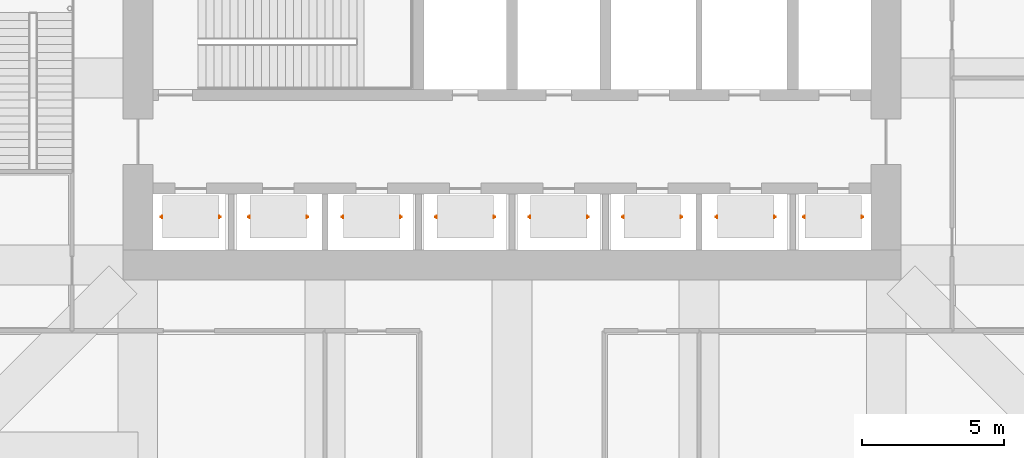
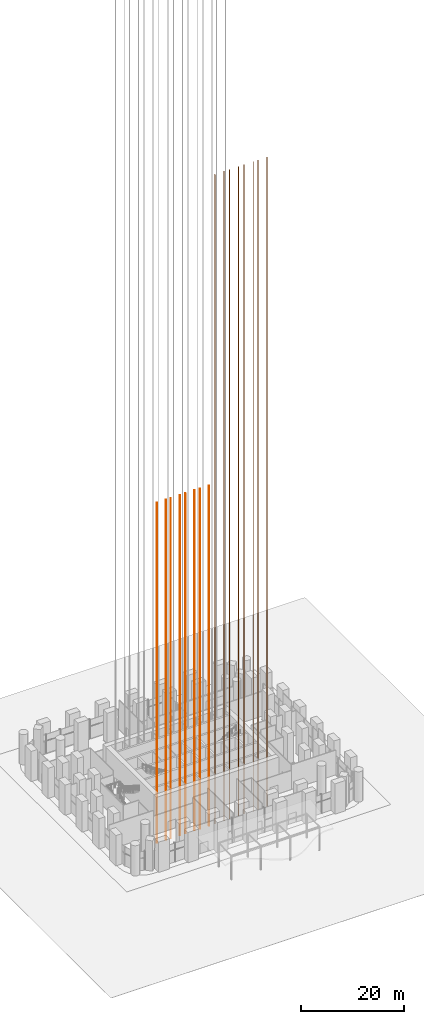
# One storey, part 24 of 32: 8 proxies.
"""IFC4 building model written with IfcOpenShell, lengths in metres."""

import ifcopenshell
import ifcopenshell.guid

model = None  # the IFC model being written
_history = None  # IfcOwnerHistory: only IFC2X3 demands one
_inside = {}  # id of a spatial element -> (the spatial element, [elements in it])
_under = {}  # id of a project, library or spatial element -> (it, [spatial elements below it])
_declared = {}  # id of a project -> (the project, [libraries it declares])
_typed = {}  # id of a type object -> (the type object, [elements of that type])
_made_of = {}  # id of a material, layer set ... -> (it, [elements and type objects made of it])


def new_model(schema):
    """Start an empty IFC model of exactly this schema.

    Asked for "IFC4X3", IfcOpenShell would pick the latest addendum, in which some entities
    have other attributes; the version numbers below select the first issue.
    IFC2X3 requires an IfcOwnerHistory on every rooted entity: one is made here for all.
    """
    global model, _history
    if schema == "IFC4X3":
        model = ifcopenshell.file(schema_version=(4, 3, 0, 0))
    else:
        model = ifcopenshell.file(schema=schema)
    _inside.clear()
    _under.clear()
    _declared.clear()
    _typed.clear()
    _made_of.clear()
    _history = None
    if model.schema == "IFC2X3":
        org = make("IfcOrganization", Name="unknown")
        user = make(
            "IfcPersonAndOrganization",
            ThePerson=make("IfcPerson", FamilyName="unknown"),
            TheOrganization=org,
        )
        app = make(
            "IfcApplication",
            ApplicationDeveloper=org,
            Version="unknown",
            ApplicationFullName="unknown",
            ApplicationIdentifier="unknown",
        )
        _history = make(
            "IfcOwnerHistory",
            OwningUser=user,
            OwningApplication=app,
            ChangeAction="ADDED",
            CreationDate=0,
        )
    return model


def make(cls, **values):
    """One entity of the class cls with the attributes given. An attribute that is None is left unset."""
    return model.create_entity(
        cls, **{name: value for name, value in values.items() if value is not None}
    )


def rooted(cls, **values):
    """An entity with a GlobalId (a new one), such as an element, a storey or a relation."""
    return make(cls, GlobalId=ifcopenshell.guid.new(), OwnerHistory=_history, **values)


def si_unit(unit_type, name, prefix=None):
    """IfcSIUnit, for example si_unit("LENGTHUNIT", "METRE", prefix="MILLI")."""
    return make("IfcSIUnit", UnitType=unit_type, Prefix=prefix, Name=name)


def assignment(units):
    """IfcUnitAssignment: the units of a project."""
    return None if units is None else make("IfcUnitAssignment", Units=units)


def point(xyz):
    """IfcCartesianPoint."""
    return None if xyz is None else make("IfcCartesianPoint", Coordinates=xyz)


def direction(xyz):
    """IfcDirection."""
    return None if xyz is None else make("IfcDirection", DirectionRatios=xyz)


def frame(location, z_axis=None, x_axis=None):
    """IfcAxis2Placement3D, a coordinate frame: its origin and axes. An axis left out is left unset."""
    return make(
        "IfcAxis2Placement3D",
        Location=point(location),
        Axis=direction(z_axis),
        RefDirection=direction(x_axis),
    )


def frame_2d(location, x_axis=None):
    """IfcAxis2Placement2D, a coordinate frame in the plane: its origin and x axis."""
    return make(
        "IfcAxis2Placement2D", Location=point(location), RefDirection=direction(x_axis)
    )


def origin():
    """The frame at (0, 0, 0) with its axes left unset."""
    return frame((0.0, 0.0, 0.0))


def origin_2d():
    """The frame at (0, 0) in the plane with its x axis left unset."""
    return frame_2d((0.0, 0.0))


def place(relative_to, where):
    """IfcLocalPlacement: puts the frame where relative to a parent placement (None: the world)."""
    return make(
        "IfcLocalPlacement", PlacementRelTo=relative_to, RelativePlacement=where
    )


def context(
    kind, dimensions, precision=None, world=None, true_north=None, identifier=None
):
    """IfcGeometricRepresentationContext, for example the 3D "Model" context."""
    return make(
        "IfcGeometricRepresentationContext",
        ContextIdentifier=identifier,
        ContextType=kind,
        CoordinateSpaceDimension=dimensions,
        Precision=precision,
        WorldCoordinateSystem=world,
        TrueNorth=true_north,
    )


def subcontext(parent, identifier, kind, view, scale=None):
    """IfcGeometricRepresentationSubContext, for example "Body" below "Model"."""
    return make(
        "IfcGeometricRepresentationSubContext",
        ContextIdentifier=identifier,
        ContextType=kind,
        ParentContext=parent,
        TargetScale=scale,
        TargetView=view,
    )


def project(units=None, contexts=None):
    """IfcProject with its units and contexts."""
    return rooted(
        "IfcProject",
        Name="project",
        RepresentationContexts=contexts,
        UnitsInContext=assignment(units),
    )


def spatial(cls, under=None, at=None, **own):
    """A site, building, storey or space (cls), placed at a placement, below another one or the project."""
    s = rooted(cls, ObjectPlacement=at, **own)
    if under is not None:
        _under.setdefault(under.id(), (under, []))[1].append(s)
    return s


def profile(cls, at=None, kind="AREA", **sizes):
    """A parametric profile (cls). Its sizes go by their IFC names, for example OverallWidth=200.0."""
    return make(cls, ProfileType=kind, Position=at, **sizes)


def t_section(**sizes):
    """IfcTShapeProfileDef."""
    return profile("IfcTShapeProfileDef", **sizes)


def extrude(swept, where, along, depth):
    """IfcExtrudedAreaSolid: the profile swept, set in the frame where, extruded along a direction by depth."""
    return make(
        "IfcExtrudedAreaSolid",
        SweptArea=swept,
        Position=where,
        ExtrudedDirection=direction(along),
        Depth=depth,
    )


def shape(context_of_items, identifier, shape_type, items):
    """IfcShapeRepresentation: the items that make up one representation, for example the "Body"."""
    return make(
        "IfcShapeRepresentation",
        ContextOfItems=context_of_items,
        RepresentationIdentifier=identifier,
        RepresentationType=shape_type,
        Items=items,
    )


def material(Name=None, Category=None):
    """IfcMaterial."""
    return make("IfcMaterial", Name=Name, Category=Category)


def made_of(thing, what):
    """Note that an element or type object is made of a material, layer set ...; save() writes the relation."""
    if what is not None:
        _made_of.setdefault(what.id(), (what, []))[1].append(thing)
    return thing


def type_object(cls, material=None, **own):
    """A type object (cls), such as IfcWallType, which elements share."""
    return made_of(rooted(cls, **own), material)


def element(
    cls,
    number,
    at=None,
    inside=None,
    cuts=None,
    type_object=None,
    material=None,
    context=None,
    identifier="Body",
    shape_type=None,
    held_by="IfcProductDefinitionShape",
    body=None,
    shapes=None,
    **own,
):
    """One element of the class cls, such as IfcWall. Its Tag is "e" and its number.

    at: its placement. inside: the storey or other place that contains it. cuts: it is an
    opening in that element (IfcRelVoidsElement). A single representation is given by context,
    identifier, shape_type and body (its items); several are given by shapes. held_by: the class
    of the entity that holds the representations. save() writes the other relations.
    """
    e = rooted(cls, Tag="e%d" % number, ObjectPlacement=at, **own)
    if body is not None:
        shapes = [shape(context, identifier, shape_type, body)]
    if shapes is not None:
        e.Representation = make(held_by, Representations=shapes)
    if inside is not None:
        _inside.setdefault(inside.id(), (inside, []))[1].append(e)
    if cuts is not None:
        rooted(
            "IfcRelVoidsElement", RelatingBuildingElement=cuts, RelatedOpeningElement=e
        )
    if type_object is not None:
        _typed.setdefault(type_object.id(), (type_object, []))[1].append(e)
    return made_of(e, material)


def aggregate(whole, parts):
    """IfcRelAggregates: a whole, such as a stair, and the parts it consists of."""
    return rooted("IfcRelAggregates", RelatingObject=whole, RelatedObjects=parts)


def save(model, path):
    """Write the relations noted so far, then the file.

    IfcRelAggregates (storeys below a building ...), IfcRelContainedInSpatialStructure (elements
    in a storey), IfcRelDefinesByType, IfcRelAssociatesMaterial and IfcRelDeclares: one each for
    every whole, place, type object, material and project.
    """
    for whole, parts in _under.values():
        aggregate(whole, parts)
    for where, things in _inside.values():
        rooted(
            "IfcRelContainedInSpatialStructure",
            RelatedElements=things,
            RelatingStructure=where,
        )
    for kind, things in _typed.values():
        rooted("IfcRelDefinesByType", RelatedObjects=things, RelatingType=kind)
    for what, things in _made_of.values():
        rooted("IfcRelAssociatesMaterial", RelatedObjects=things, RelatingMaterial=what)
    for by, libraries in _declared.values():
        rooted("IfcRelDeclares", RelatingContext=by, RelatedDefinitions=libraries)
    model.write(path)


model = new_model("IFC4")

# Units and contexts
model_context = context("Model", 3, precision=1e-05, world=origin(), true_north=direction((0.0, 1.0)))
body_context = subcontext(model_context, "Body", "Model", "MODEL_VIEW")
ifc_project = project(units=[si_unit("LENGTHUNIT", "METRE"), si_unit("AREAUNIT", "SQUARE_METRE"), si_unit("VOLUMEUNIT", "CUBIC_METRE"), si_unit("PLANEANGLEUNIT", "RADIAN"), si_unit("MASSUNIT", "GRAM", prefix="KILO")], contexts=[model_context])

# Site, building, storey
site_placement = place(None, origin())
site = spatial("IfcSite", under=ifc_project, at=site_placement, CompositionType="ELEMENT")
building_placement = place(site_placement, origin())
building = spatial("IfcBuilding", under=site, at=building_placement, Name="Cobogo Forest Laboratory Tower", CompositionType="ELEMENT")
storey_placement = place(building_placement, origin())
storey = spatial("IfcBuildingStorey", under=building, at=storey_placement, Name="L00", CompositionType="ELEMENT", Elevation=0.0)

# Proxies
ifc_material = material(Name="Steel guide rail", Category="steel")
building_element_proxy_type = type_object("IfcBuildingElementProxyType", Name="LR lift guide rails", PredefinedType="USERDEFINED", material=ifc_material)
for number, where, name in (
    (1, (15.0625, 14.89990234375, 0.0), "LA1 guide rails"),
    (2, (18.14990234375, 14.89990234375, 0.0), "LA2 guide rails"),
    (3, (21.449951171875, 14.89990234375, 0.0), "LA3 guide rails"),
    (4, (24.75, 14.89990234375, 0.0), "LA4 guide rails"),
):
    element("IfcBuildingElementProxy", number, at=place(storey_placement, frame(where)), inside=storey, type_object=building_element_proxy_type, Name=name, ObjectType="LIFT GUIDE RAILS", PredefinedType="USERDEFINED", context=body_context, shape_type="SweptSolid", body=[
        extrude(t_section(Depth=0.062, FlangeWidth=0.089, WebThickness=0.0159, FlangeThickness=0.01, at=origin_2d()), frame((-1.031005859375, 0.0, -5.39990234375), z_axis=(0.0, 0.0, 1.0), x_axis=(0.0, -1.0, 0.0)), (0.0, 0.0, 1.0), 80.75),
        extrude(t_section(Depth=0.062, FlangeWidth=0.089, WebThickness=0.0159, FlangeThickness=0.01, at=origin_2d()), frame((1.031005859375, 0.0, -5.39990234375), z_axis=(0.0, 0.0, 1.0), x_axis=(0.0, 1.0, 0.0)), (0.0, 0.0, 1.0), 80.75),
    ])
for number, where, name in (
    (5, (28.050048828125, 14.89990234375, 0.0), "LB1 guide rails"),
    (6, (31.35009765625, 14.89990234375, 0.0), "LB2 guide rails"),
    (7, (34.64990234375, 14.89990234375, 0.0), "LB3 guide rails"),
    (8, (37.737548828125, 14.89990234375, 0.0), "LB4 guide rails"),
):
    element("IfcBuildingElementProxy", number, at=place(storey_placement, frame(where)), inside=storey, type_object=building_element_proxy_type, Name=name, ObjectType="LIFT GUIDE RAILS", PredefinedType="USERDEFINED", context=body_context, shape_type="SweptSolid", body=[
        extrude(t_section(Depth=0.062, FlangeWidth=0.089, WebThickness=0.0159, FlangeThickness=0.01, at=origin_2d()), frame((-1.031005859375, 0.0, -5.39990234375), z_axis=(0.0, 0.0, 1.0), x_axis=(0.0, -1.0, 0.0)), (0.0, 0.0, 1.0), 154.25),
        extrude(t_section(Depth=0.062, FlangeWidth=0.089, WebThickness=0.0159, FlangeThickness=0.01, at=origin_2d()), frame((1.031005859375, 0.0, -5.39990234375), z_axis=(0.0, 0.0, 1.0), x_axis=(0.0, 1.0, 0.0)), (0.0, 0.0, 1.0), 154.25),
    ])

save(model, "model.ifc")
